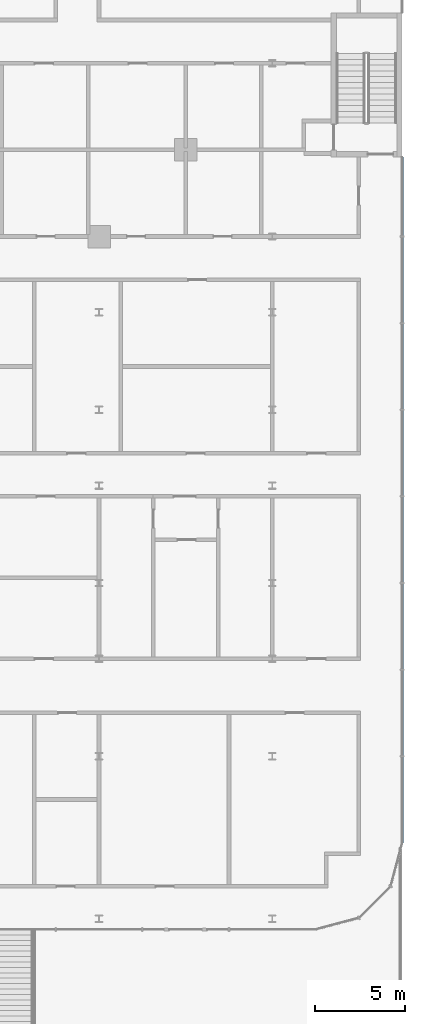
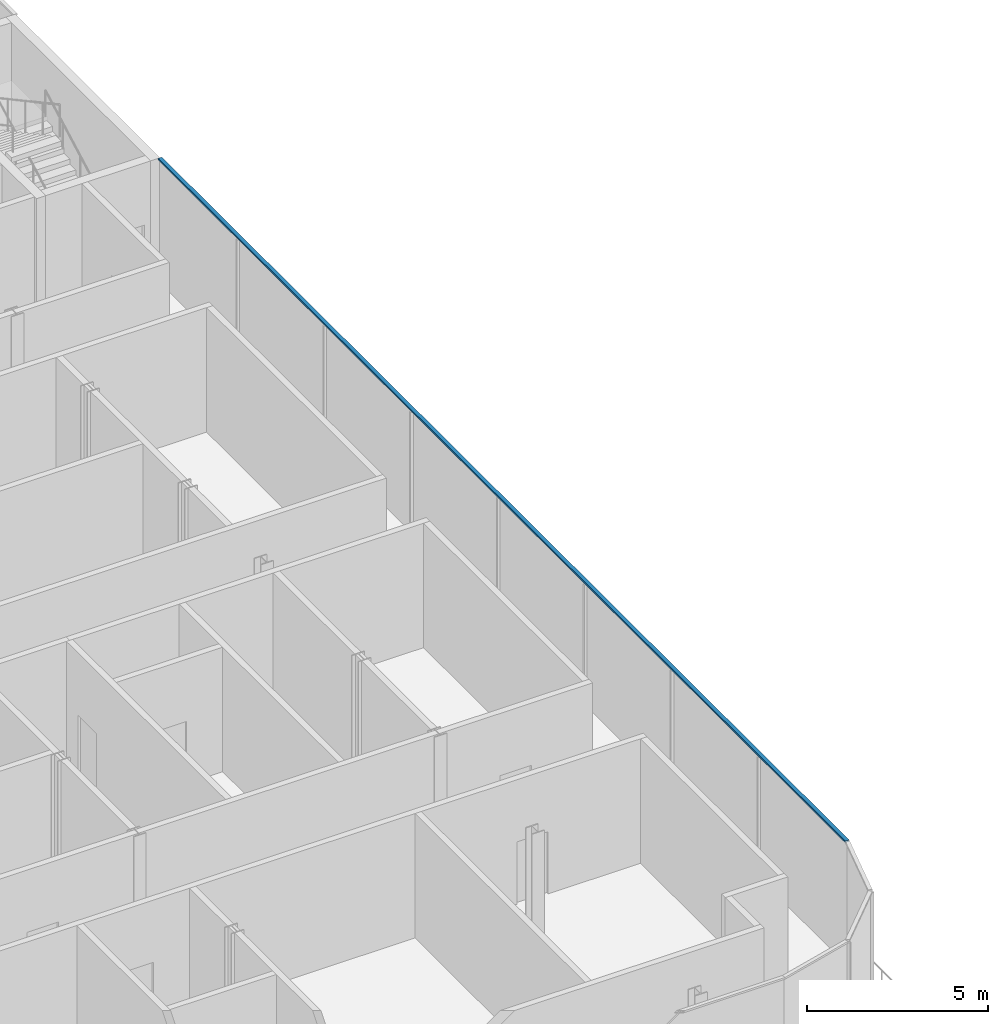
# One storey, part 13 of 45: 1 member, 1 element without a shape of its own.
"""IFC4 building model written with IfcOpenShell, lengths in metres."""

from ifc_helpers import new_model, si_unit, direction, frame, origin, origin_2d, place, context, subcontext, project, spatial, rectangle, extrude, material, layer, layer_set, material_profile, profile_set, type_object, element, aggregate, save


model = new_model("IFC4")

# Units and contexts
model_context = context("Model", 3, precision=1e-05, world=origin(), true_north=direction((0.0, 1.0)))
body_context = subcontext(model_context, "Body", "Model", "MODEL_VIEW")
ifc_project = project(units=[si_unit("LENGTHUNIT", "METRE"), si_unit("AREAUNIT", "SQUARE_METRE"), si_unit("VOLUMEUNIT", "CUBIC_METRE"), si_unit("PLANEANGLEUNIT", "RADIAN"), si_unit("MASSUNIT", "GRAM", prefix="KILO")], contexts=[model_context])

# Site, building, storey
site_placement = place(None, origin())
site = spatial("IfcSite", under=ifc_project, at=site_placement, CompositionType="ELEMENT")
building_placement = place(site_placement, origin())
building = spatial("IfcBuilding", under=site, at=building_placement, Name="Madar Terraces", CompositionType="ELEMENT")
storey_placement = place(building_placement, frame((0.0, 0.0, 6.0)))
storey = spatial("IfcBuildingStorey", under=building, at=storey_placement, Name="L01", CompositionType="ELEMENT", Elevation=6.0)

# Curtain wall, member
ifc_material_1 = material(Name="Glass, clear low-iron, with black aluminium frame", Category="aluminium")
ifc_layer = layer(ifc_material_1, 0.199951171875)
ifc_layer_set = layer_set([ifc_layer], Name="Facade curtain wall, shopfront glazing")
curtain_wall_type = type_object("IfcCurtainWallType", Name="Facade curtain wall, shopfront glazing", PredefinedType="NOTDEFINED", material=ifc_layer_set)
curtain_wall_placement = place(storey_placement, origin())
curtain_wall = element("IfcCurtainWall", 1, at=curtain_wall_placement, inside=storey, type_object=curtain_wall_type, Name="Outer skin curtain wall east bay 1", PredefinedType="NOTDEFINED")
ifc_material_2 = material(Name="Aluminium, black anodised", Category="aluminium")
ifc_material_profile = material_profile(ifc_material_2, rectangle(XDim=0.1201171875, YDim=0.06005859375, at=origin_2d()), Name="Facade transom 60x120")
ifc_profile_set = profile_set([ifc_material_profile], Name="Aluminium, black anodised")
member_type = type_object("IfcMemberType", Name="Facade transom 60x120", PredefinedType="USERDEFINED", material=ifc_profile_set)
member_placement = place(storey_placement, frame((69.60009765625, -33.60009765625, 4.169921875), z_axis=(0.0, 1.0, 0.0), x_axis=(-1.0, 0.0, 0.0)))
member = element("IfcMember", 2, at=member_placement, type_object=member_type, Name="Transom 1", ObjectType="TRANSOM", PredefinedType="USERDEFINED", context=body_context, shape_type="SweptSolid", body=[
    extrude(rectangle(XDim=0.1201171875, YDim=0.06005859375, at=origin_2d()), origin(), (0.0, 0.0, 1.0), 38.0),
])
aggregate(curtain_wall, [member])

save(model, "model.ifc")
